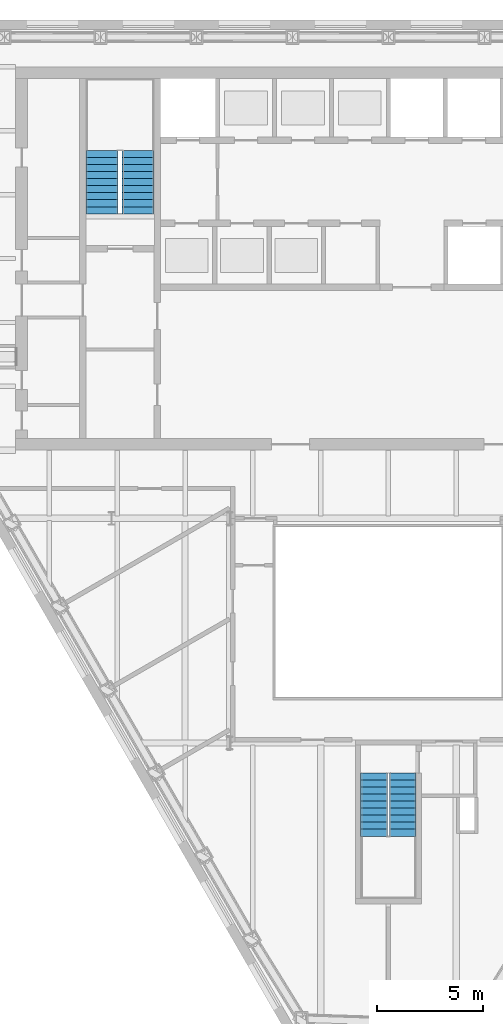
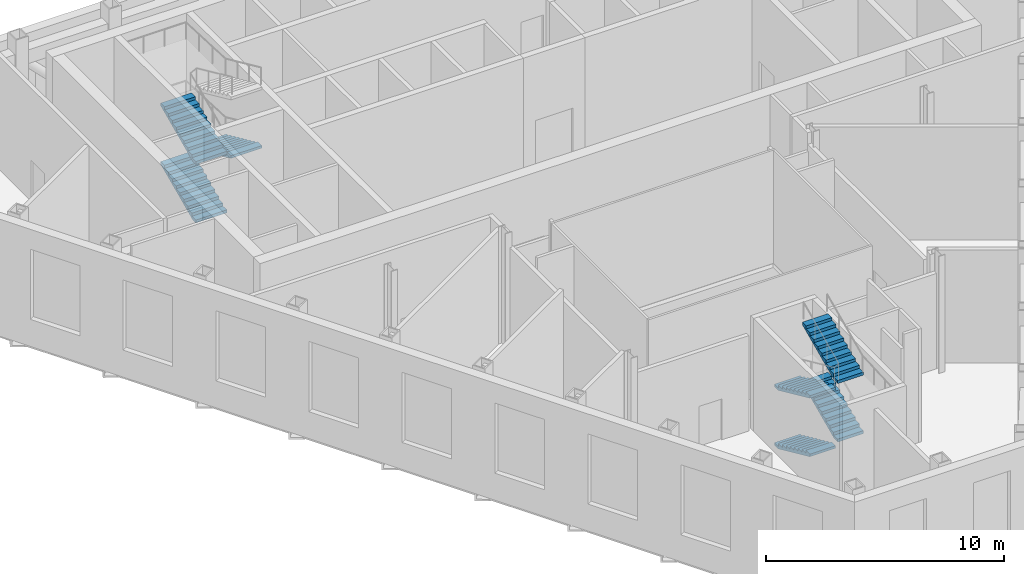
# One storey, part 12 of 15: 7 stair flights, 2 elements without a shape of their own.
"""IFC4 building model written with IfcOpenShell, lengths in metres."""

from ifc_helpers import new_model, si_unit, direction, frame, origin, place, context, subcontext, project, spatial, polygons, material, type_object, element, aggregate, save


model = new_model("IFC4")

# Units and contexts
model_context = context("Model", 3, precision=1e-05, world=origin(), true_north=direction((0.0, 1.0)))
body_context = subcontext(model_context, "Body", "Model", "MODEL_VIEW")
ifc_project = project(units=[si_unit("LENGTHUNIT", "METRE"), si_unit("AREAUNIT", "SQUARE_METRE"), si_unit("VOLUMEUNIT", "CUBIC_METRE"), si_unit("PLANEANGLEUNIT", "RADIAN"), si_unit("MASSUNIT", "GRAM", prefix="KILO")], contexts=[model_context])

# Site, building, storey
site_placement = place(None, origin())
site = spatial("IfcSite", under=ifc_project, at=site_placement, CompositionType="ELEMENT")
building_placement = place(site_placement, origin())
building = spatial("IfcBuilding", under=site, at=building_placement, Name="Njiva Tower", CompositionType="ELEMENT")
storey_placement = place(building_placement, frame((0.0, 0.0, 133.8)))
storey = spatial("IfcBuildingStorey", under=building, at=storey_placement, Name="L28", CompositionType="ELEMENT", Elevation=133.8)

# Stair, stair flights
ifc_material = material(Name="Concrete C40/50", Category="concrete")
stair_type_1 = type_object("IfcStairType", Name="ST1 Exit stair 1250", PredefinedType="HALF_TURN_STAIR", material=ifc_material)
stair_1_placement = place(storey_placement, origin())
stair_1 = element("IfcStair", 1, at=stair_1_placement, inside=storey, type_object=stair_type_1, Name="Stair C", PredefinedType="DOUBLE_RETURN_STAIR")
stair_flight_type_1 = type_object("IfcStairFlightType", Name="FL1 Stair flight 1250", PredefinedType="STRAIGHT", material=ifc_material)
stair_flight_1_placement = place(storey_placement, frame((-0.675, -15.16, 0.0), z_axis=(0.0, 0.0, 1.0), x_axis=(0.0, -1.0, 0.0)))
stair_flight_1 = element("IfcStairFlight", 2, at=stair_flight_1_placement, type_object=stair_flight_type_1, Name="ST-C flight 1", NumberOfRisers=10, NumberOfTreads=9, PredefinedType="STRAIGHT", RiserHeight=0.15, TreadLength=0.33, context=body_context, shape_type="Tessellation", body=[
    polygons([(0.0, 0.625, 0.0), (0.0, 0.3125, 0.0), (0.0, 0.0, 0.0), (0.0, -0.3125, 0.0), (0.0, -0.625, 0.0), (0.0, 0.625, 0.15), (0.0, 0.3125, 0.15), (0.0, 0.0, 0.15), (0.0, -0.3125, 0.15), (0.0, -0.625, 0.15), (0.33, 0.625, 0.15), (0.33, 0.3125, 0.15), (0.33, 0.0, 0.15), (0.33, -0.3125, 0.15), (0.33, -0.625, 0.15), (0.33, 0.625, 0.3), (0.33, 0.3125, 0.3), (0.33, 0.0, 0.3), (0.33, -0.3125, 0.3), (0.33, -0.625, 0.3), (0.66, 0.625, 0.3), (0.66, 0.3125, 0.3), (0.66, 0.0, 0.3), (0.66, -0.3125, 0.3), (0.66, -0.625, 0.3), (0.66, 0.625, 0.45), (0.66, 0.3125, 0.45), (0.66, 0.0, 0.45), (0.66, -0.3125, 0.45), (0.66, -0.625, 0.45), (0.99, 0.625, 0.45), (0.99, 0.3125, 0.45), (0.99, 0.0, 0.45), (0.99, -0.3125, 0.45), (0.99, -0.625, 0.45), (0.99, 0.625, 0.6), (0.99, 0.3125, 0.6), (0.99, 0.0, 0.6), (0.99, -0.3125, 0.6), (0.99, -0.625, 0.6), (1.32, 0.625, 0.6), (1.32, 0.3125, 0.6), (1.32, 0.0, 0.6), (1.32, -0.3125, 0.6), (1.32, -0.625, 0.6), (1.32, 0.625, 0.75), (1.32, 0.3125, 0.75), (1.32, 0.0, 0.75), (1.32, -0.3125, 0.75), (1.32, -0.625, 0.75), (1.65, 0.625, 0.75), (1.65, 0.3125, 0.75), (1.65, 0.0, 0.75), (1.65, -0.3125, 0.75), (1.65, -0.625, 0.75), (1.65, 0.625, 0.9), (1.65, 0.3125, 0.9), (1.65, 0.0, 0.9), (1.65, -0.3125, 0.9), (1.65, -0.625, 0.9), (1.98, 0.625, 0.9), (1.98, 0.3125, 0.9), (1.98, 0.0, 0.9), (1.98, -0.3125, 0.9), (1.98, -0.625, 0.9), (1.98, 0.625, 1.05), (1.98, 0.3125, 1.05), (1.98, 0.0, 1.05), (1.98, -0.3125, 1.05), (1.98, -0.625, 1.05), (2.31, 0.625, 1.05), (2.31, 0.3125, 1.05), (2.31, 0.0, 1.05), (2.31, -0.3125, 1.05), (2.31, -0.625, 1.05), (2.31, 0.625, 1.2), (2.31, 0.3125, 1.2), (2.31, 0.0, 1.2), (2.31, -0.3125, 1.2), (2.31, -0.625, 1.2), (2.64, 0.625, 1.2), (2.64, 0.3125, 1.2), (2.64, 0.0, 1.2), (2.64, -0.3125, 1.2), (2.64, -0.625, 1.2), (2.64, 0.625, 1.35), (2.64, 0.3125, 1.35), (2.64, 0.0, 1.35), (2.64, -0.3125, 1.35), (2.64, -0.625, 1.35), (2.97, 0.625, 1.35), (2.97, 0.3125, 1.35), (2.97, 0.0, 1.35), (2.97, -0.3125, 1.35), (2.97, -0.625, 1.35), (2.97, 0.625, 1.2182), (2.97, 0.3125, 1.2182), (2.97, 0.0, 1.2182), (2.97, -0.3125, 1.2182), (2.97, -0.625, 1.2182), (0.29, 0.625, 0.0), (0.29, 0.3125, 0.0), (0.29, 0.0, 0.0), (0.29, -0.3125, 0.0), (0.29, -0.625, 0.0)], [[[1, 6, 11, 16, 21, 26, 31, 36, 41, 46, 51, 56, 61, 66, 71, 76, 81, 86, 91, 96, 101]], [[105, 100, 95, 90, 85, 80, 75, 70, 65, 60, 55, 50, 45, 40, 35, 30, 25, 20, 15, 10, 5]], [[6, 1, 2, 7]], [[7, 2, 3, 8]], [[8, 3, 4, 9]], [[9, 4, 5, 10]], [[11, 6, 7, 12]], [[12, 7, 8, 13]], [[13, 8, 9, 14]], [[14, 9, 10, 15]], [[16, 11, 12, 17]], [[17, 12, 13, 18]], [[18, 13, 14, 19]], [[19, 14, 15, 20]], [[21, 16, 17, 22]], [[22, 17, 18, 23]], [[23, 18, 19, 24]], [[24, 19, 20, 25]], [[26, 21, 22, 27]], [[27, 22, 23, 28]], [[28, 23, 24, 29]], [[29, 24, 25, 30]], [[31, 26, 27, 32]], [[32, 27, 28, 33]], [[33, 28, 29, 34]], [[34, 29, 30, 35]], [[36, 31, 32, 37]], [[37, 32, 33, 38]], [[38, 33, 34, 39]], [[39, 34, 35, 40]], [[41, 36, 37, 42]], [[42, 37, 38, 43]], [[43, 38, 39, 44]], [[44, 39, 40, 45]], [[46, 41, 42, 47]], [[47, 42, 43, 48]], [[48, 43, 44, 49]], [[49, 44, 45, 50]], [[51, 46, 47, 52]], [[52, 47, 48, 53]], [[53, 48, 49, 54]], [[54, 49, 50, 55]], [[56, 51, 52, 57]], [[57, 52, 53, 58]], [[58, 53, 54, 59]], [[59, 54, 55, 60]], [[61, 56, 57, 62]], [[62, 57, 58, 63]], [[63, 58, 59, 64]], [[64, 59, 60, 65]], [[66, 61, 62, 67]], [[67, 62, 63, 68]], [[68, 63, 64, 69]], [[69, 64, 65, 70]], [[71, 66, 67, 72]], [[72, 67, 68, 73]], [[73, 68, 69, 74]], [[74, 69, 70, 75]], [[76, 71, 72, 77]], [[77, 72, 73, 78]], [[78, 73, 74, 79]], [[79, 74, 75, 80]], [[81, 76, 77, 82]], [[82, 77, 78, 83]], [[83, 78, 79, 84]], [[84, 79, 80, 85]], [[86, 81, 82, 87]], [[87, 82, 83, 88]], [[88, 83, 84, 89]], [[89, 84, 85, 90]], [[91, 86, 87, 92]], [[92, 87, 88, 93]], [[93, 88, 89, 94]], [[94, 89, 90, 95]], [[96, 91, 92, 97]], [[97, 92, 93, 98]], [[98, 93, 94, 99]], [[99, 94, 95, 100]], [[101, 96, 97, 102]], [[102, 97, 98, 103]], [[103, 98, 99, 104]], [[104, 99, 100, 105]], [[1, 101, 102, 2]], [[2, 102, 103, 3]], [[3, 103, 104, 4]], [[4, 104, 105, 5]]], closed=True),
])
stair_flight_2_placement = place(storey_placement, frame((0.675, -18.13, 1.5), z_axis=(0.0, 0.0, 1.0), x_axis=(0.0, 1.0, 0.0)))
stair_flight_2 = element("IfcStairFlight", 3, at=stair_flight_2_placement, type_object=stair_flight_type_1, Name="ST-C flight 2", NumberOfRisers=10, NumberOfTreads=9, PredefinedType="STRAIGHT", RiserHeight=0.15, TreadLength=0.33, context=body_context, shape_type="Tessellation", body=[
    polygons([(0.0, 0.625, 0.0), (0.0, 0.3125, 0.0), (0.0, 0.0, 0.0), (0.0, -0.3125, 0.0), (0.0, -0.625, 0.0), (0.0, 0.625, 0.15), (0.0, 0.3125, 0.15), (0.0, 0.0, 0.15), (0.0, -0.3125, 0.15), (0.0, -0.625, 0.15), (0.33, 0.625, 0.15), (0.33, 0.3125, 0.15), (0.33, 0.0, 0.15), (0.33, -0.3125, 0.15), (0.33, -0.625, 0.15), (0.33, 0.625, 0.3), (0.33, 0.3125, 0.3), (0.33, 0.0, 0.3), (0.33, -0.3125, 0.3), (0.33, -0.625, 0.3), (0.66, 0.625, 0.3), (0.66, 0.3125, 0.3), (0.66, 0.0, 0.3), (0.66, -0.3125, 0.3), (0.66, -0.625, 0.3), (0.66, 0.625, 0.45), (0.66, 0.3125, 0.45), (0.66, 0.0, 0.45), (0.66, -0.3125, 0.45), (0.66, -0.625, 0.45), (0.99, 0.625, 0.45), (0.99, 0.3125, 0.45), (0.99, 0.0, 0.45), (0.99, -0.3125, 0.45), (0.99, -0.625, 0.45), (0.99, 0.625, 0.6), (0.99, 0.3125, 0.6), (0.99, 0.0, 0.6), (0.99, -0.3125, 0.6), (0.99, -0.625, 0.6), (1.32, 0.625, 0.6), (1.32, 0.3125, 0.6), (1.32, 0.0, 0.6), (1.32, -0.3125, 0.6), (1.32, -0.625, 0.6), (1.32, 0.625, 0.75), (1.32, 0.3125, 0.75), (1.32, 0.0, 0.75), (1.32, -0.3125, 0.75), (1.32, -0.625, 0.75), (1.65, 0.625, 0.75), (1.65, 0.3125, 0.75), (1.65, 0.0, 0.75), (1.65, -0.3125, 0.75), (1.65, -0.625, 0.75), (1.65, 0.625, 0.9), (1.65, 0.3125, 0.9), (1.65, 0.0, 0.9), (1.65, -0.3125, 0.9), (1.65, -0.625, 0.9), (1.98, 0.625, 0.9), (1.98, 0.3125, 0.9), (1.98, 0.0, 0.9), (1.98, -0.3125, 0.9), (1.98, -0.625, 0.9), (1.98, 0.625, 1.05), (1.98, 0.3125, 1.05), (1.98, 0.0, 1.05), (1.98, -0.3125, 1.05), (1.98, -0.625, 1.05), (2.31, 0.625, 1.05), (2.31, 0.3125, 1.05), (2.31, 0.0, 1.05), (2.31, -0.3125, 1.05), (2.31, -0.625, 1.05), (2.31, 0.625, 1.2), (2.31, 0.3125, 1.2), (2.31, 0.0, 1.2), (2.31, -0.3125, 1.2), (2.31, -0.625, 1.2), (2.64, 0.625, 1.2), (2.64, 0.3125, 1.2), (2.64, 0.0, 1.2), (2.64, -0.3125, 1.2), (2.64, -0.625, 1.2), (2.64, 0.625, 1.35), (2.64, 0.3125, 1.35), (2.64, 0.0, 1.35), (2.64, -0.3125, 1.35), (2.64, -0.625, 1.35), (2.97, 0.625, 1.35), (2.97, 0.3125, 1.35), (2.97, 0.0, 1.35), (2.97, -0.3125, 1.35), (2.97, -0.625, 1.35), (2.97, 0.625, 1.2182), (2.97, 0.3125, 1.2182), (2.97, 0.0, 1.2182), (2.97, -0.3125, 1.2182), (2.97, -0.625, 1.2182), (0.29, 0.625, 0.0), (0.29, 0.3125, 0.0), (0.29, 0.0, 0.0), (0.29, -0.3125, 0.0), (0.29, -0.625, 0.0)], [[[1, 6, 11, 16, 21, 26, 31, 36, 41, 46, 51, 56, 61, 66, 71, 76, 81, 86, 91, 96, 101]], [[105, 100, 95, 90, 85, 80, 75, 70, 65, 60, 55, 50, 45, 40, 35, 30, 25, 20, 15, 10, 5]], [[6, 1, 2, 7]], [[7, 2, 3, 8]], [[8, 3, 4, 9]], [[9, 4, 5, 10]], [[11, 6, 7, 12]], [[12, 7, 8, 13]], [[13, 8, 9, 14]], [[14, 9, 10, 15]], [[16, 11, 12, 17]], [[17, 12, 13, 18]], [[18, 13, 14, 19]], [[19, 14, 15, 20]], [[21, 16, 17, 22]], [[22, 17, 18, 23]], [[23, 18, 19, 24]], [[24, 19, 20, 25]], [[26, 21, 22, 27]], [[27, 22, 23, 28]], [[28, 23, 24, 29]], [[29, 24, 25, 30]], [[31, 26, 27, 32]], [[32, 27, 28, 33]], [[33, 28, 29, 34]], [[34, 29, 30, 35]], [[36, 31, 32, 37]], [[37, 32, 33, 38]], [[38, 33, 34, 39]], [[39, 34, 35, 40]], [[41, 36, 37, 42]], [[42, 37, 38, 43]], [[43, 38, 39, 44]], [[44, 39, 40, 45]], [[46, 41, 42, 47]], [[47, 42, 43, 48]], [[48, 43, 44, 49]], [[49, 44, 45, 50]], [[51, 46, 47, 52]], [[52, 47, 48, 53]], [[53, 48, 49, 54]], [[54, 49, 50, 55]], [[56, 51, 52, 57]], [[57, 52, 53, 58]], [[58, 53, 54, 59]], [[59, 54, 55, 60]], [[61, 56, 57, 62]], [[62, 57, 58, 63]], [[63, 58, 59, 64]], [[64, 59, 60, 65]], [[66, 61, 62, 67]], [[67, 62, 63, 68]], [[68, 63, 64, 69]], [[69, 64, 65, 70]], [[71, 66, 67, 72]], [[72, 67, 68, 73]], [[73, 68, 69, 74]], [[74, 69, 70, 75]], [[76, 71, 72, 77]], [[77, 72, 73, 78]], [[78, 73, 74, 79]], [[79, 74, 75, 80]], [[81, 76, 77, 82]], [[82, 77, 78, 83]], [[83, 78, 79, 84]], [[84, 79, 80, 85]], [[86, 81, 82, 87]], [[87, 82, 83, 88]], [[88, 83, 84, 89]], [[89, 84, 85, 90]], [[91, 86, 87, 92]], [[92, 87, 88, 93]], [[93, 88, 89, 94]], [[94, 89, 90, 95]], [[96, 91, 92, 97]], [[97, 92, 93, 98]], [[98, 93, 94, 99]], [[99, 94, 95, 100]], [[101, 96, 97, 102]], [[102, 97, 98, 103]], [[103, 98, 99, 104]], [[104, 99, 100, 105]], [[1, 101, 102, 2]], [[2, 102, 103, 3]], [[3, 103, 104, 4]], [[4, 104, 105, 5]]], closed=True),
])
stair_flight_3_placement = place(storey_placement, frame((-0.675, -15.16, 3.0), z_axis=(0.0, 0.0, 1.0), x_axis=(0.0, -1.0, 0.0)))
stair_flight_3 = element("IfcStairFlight", 4, at=stair_flight_3_placement, type_object=stair_flight_type_1, Name="ST-C flight 3", NumberOfRisers=10, NumberOfTreads=9, PredefinedType="STRAIGHT", RiserHeight=0.15, TreadLength=0.33, context=body_context, shape_type="Tessellation", body=[
    polygons([(0.0, 0.625, 0.0), (0.0, 0.3125, 0.0), (0.0, 0.0, 0.0), (0.0, -0.3125, 0.0), (0.0, -0.625, 0.0), (0.0, 0.625, 0.15), (0.0, 0.3125, 0.15), (0.0, 0.0, 0.15), (0.0, -0.3125, 0.15), (0.0, -0.625, 0.15), (0.33, 0.625, 0.15), (0.33, 0.3125, 0.15), (0.33, 0.0, 0.15), (0.33, -0.3125, 0.15), (0.33, -0.625, 0.15), (0.33, 0.625, 0.3), (0.33, 0.3125, 0.3), (0.33, 0.0, 0.3), (0.33, -0.3125, 0.3), (0.33, -0.625, 0.3), (0.66, 0.625, 0.3), (0.66, 0.3125, 0.3), (0.66, 0.0, 0.3), (0.66, -0.3125, 0.3), (0.66, -0.625, 0.3), (0.66, 0.625, 0.45), (0.66, 0.3125, 0.45), (0.66, 0.0, 0.45), (0.66, -0.3125, 0.45), (0.66, -0.625, 0.45), (0.99, 0.625, 0.45), (0.99, 0.3125, 0.45), (0.99, 0.0, 0.45), (0.99, -0.3125, 0.45), (0.99, -0.625, 0.45), (0.99, 0.625, 0.6), (0.99, 0.3125, 0.6), (0.99, 0.0, 0.6), (0.99, -0.3125, 0.6), (0.99, -0.625, 0.6), (1.32, 0.625, 0.6), (1.32, 0.3125, 0.6), (1.32, 0.0, 0.6), (1.32, -0.3125, 0.6), (1.32, -0.625, 0.6), (1.32, 0.625, 0.75), (1.32, 0.3125, 0.75), (1.32, 0.0, 0.75), (1.32, -0.3125, 0.75), (1.32, -0.625, 0.75), (1.65, 0.625, 0.75), (1.65, 0.3125, 0.75), (1.65, 0.0, 0.75), (1.65, -0.3125, 0.75), (1.65, -0.625, 0.75), (1.65, 0.625, 0.9), (1.65, 0.3125, 0.9), (1.65, 0.0, 0.9), (1.65, -0.3125, 0.9), (1.65, -0.625, 0.9), (1.98, 0.625, 0.9), (1.98, 0.3125, 0.9), (1.98, 0.0, 0.9), (1.98, -0.3125, 0.9), (1.98, -0.625, 0.9), (1.98, 0.625, 1.05), (1.98, 0.3125, 1.05), (1.98, 0.0, 1.05), (1.98, -0.3125, 1.05), (1.98, -0.625, 1.05), (2.31, 0.625, 1.05), (2.31, 0.3125, 1.05), (2.31, 0.0, 1.05), (2.31, -0.3125, 1.05), (2.31, -0.625, 1.05), (2.31, 0.625, 1.2), (2.31, 0.3125, 1.2), (2.31, 0.0, 1.2), (2.31, -0.3125, 1.2), (2.31, -0.625, 1.2), (2.64, 0.625, 1.2), (2.64, 0.3125, 1.2), (2.64, 0.0, 1.2), (2.64, -0.3125, 1.2), (2.64, -0.625, 1.2), (2.64, 0.625, 1.35), (2.64, 0.3125, 1.35), (2.64, 0.0, 1.35), (2.64, -0.3125, 1.35), (2.64, -0.625, 1.35), (2.97, 0.625, 1.35), (2.97, 0.3125, 1.35), (2.97, 0.0, 1.35), (2.97, -0.3125, 1.35), (2.97, -0.625, 1.35), (2.97, 0.625, 1.2182), (2.97, 0.3125, 1.2182), (2.97, 0.0, 1.2182), (2.97, -0.3125, 1.2182), (2.97, -0.625, 1.2182), (0.29, 0.625, 0.0), (0.29, 0.3125, 0.0), (0.29, 0.0, 0.0), (0.29, -0.3125, 0.0), (0.29, -0.625, 0.0)], [[[1, 6, 11, 16, 21, 26, 31, 36, 41, 46, 51, 56, 61, 66, 71, 76, 81, 86, 91, 96, 101]], [[105, 100, 95, 90, 85, 80, 75, 70, 65, 60, 55, 50, 45, 40, 35, 30, 25, 20, 15, 10, 5]], [[6, 1, 2, 7]], [[7, 2, 3, 8]], [[8, 3, 4, 9]], [[9, 4, 5, 10]], [[11, 6, 7, 12]], [[12, 7, 8, 13]], [[13, 8, 9, 14]], [[14, 9, 10, 15]], [[16, 11, 12, 17]], [[17, 12, 13, 18]], [[18, 13, 14, 19]], [[19, 14, 15, 20]], [[21, 16, 17, 22]], [[22, 17, 18, 23]], [[23, 18, 19, 24]], [[24, 19, 20, 25]], [[26, 21, 22, 27]], [[27, 22, 23, 28]], [[28, 23, 24, 29]], [[29, 24, 25, 30]], [[31, 26, 27, 32]], [[32, 27, 28, 33]], [[33, 28, 29, 34]], [[34, 29, 30, 35]], [[36, 31, 32, 37]], [[37, 32, 33, 38]], [[38, 33, 34, 39]], [[39, 34, 35, 40]], [[41, 36, 37, 42]], [[42, 37, 38, 43]], [[43, 38, 39, 44]], [[44, 39, 40, 45]], [[46, 41, 42, 47]], [[47, 42, 43, 48]], [[48, 43, 44, 49]], [[49, 44, 45, 50]], [[51, 46, 47, 52]], [[52, 47, 48, 53]], [[53, 48, 49, 54]], [[54, 49, 50, 55]], [[56, 51, 52, 57]], [[57, 52, 53, 58]], [[58, 53, 54, 59]], [[59, 54, 55, 60]], [[61, 56, 57, 62]], [[62, 57, 58, 63]], [[63, 58, 59, 64]], [[64, 59, 60, 65]], [[66, 61, 62, 67]], [[67, 62, 63, 68]], [[68, 63, 64, 69]], [[69, 64, 65, 70]], [[71, 66, 67, 72]], [[72, 67, 68, 73]], [[73, 68, 69, 74]], [[74, 69, 70, 75]], [[76, 71, 72, 77]], [[77, 72, 73, 78]], [[78, 73, 74, 79]], [[79, 74, 75, 80]], [[81, 76, 77, 82]], [[82, 77, 78, 83]], [[83, 78, 79, 84]], [[84, 79, 80, 85]], [[86, 81, 82, 87]], [[87, 82, 83, 88]], [[88, 83, 84, 89]], [[89, 84, 85, 90]], [[91, 86, 87, 92]], [[92, 87, 88, 93]], [[93, 88, 89, 94]], [[94, 89, 90, 95]], [[96, 91, 92, 97]], [[97, 92, 93, 98]], [[98, 93, 94, 99]], [[99, 94, 95, 100]], [[101, 96, 97, 102]], [[102, 97, 98, 103]], [[103, 98, 99, 104]], [[104, 99, 100, 105]], [[1, 101, 102, 2]], [[2, 102, 103, 3]], [[3, 103, 104, 4]], [[4, 104, 105, 5]]], closed=True),
])
stair_flight_4_placement = place(storey_placement, frame((0.675, -18.13, 4.5), z_axis=(0.0, 0.0, 1.0), x_axis=(0.0, 1.0, 0.0)))
stair_flight_4 = element("IfcStairFlight", 5, at=stair_flight_4_placement, type_object=stair_flight_type_1, Name="ST-C flight 4", NumberOfRisers=10, NumberOfTreads=9, PredefinedType="STRAIGHT", RiserHeight=0.15, TreadLength=0.33, context=body_context, shape_type="Tessellation", body=[
    polygons([(0.0, 0.625, 0.0), (0.0, 0.3125, 0.0), (0.0, 0.0, 0.0), (0.0, -0.3125, 0.0), (0.0, -0.625, 0.0), (0.0, 0.625, 0.15), (0.0, 0.3125, 0.15), (0.0, 0.0, 0.15), (0.0, -0.3125, 0.15), (0.0, -0.625, 0.15), (0.33, 0.625, 0.15), (0.33, 0.3125, 0.15), (0.33, 0.0, 0.15), (0.33, -0.3125, 0.15), (0.33, -0.625, 0.15), (0.33, 0.625, 0.3), (0.33, 0.3125, 0.3), (0.33, 0.0, 0.3), (0.33, -0.3125, 0.3), (0.33, -0.625, 0.3), (0.66, 0.625, 0.3), (0.66, 0.3125, 0.3), (0.66, 0.0, 0.3), (0.66, -0.3125, 0.3), (0.66, -0.625, 0.3), (0.66, 0.625, 0.45), (0.66, 0.3125, 0.45), (0.66, 0.0, 0.45), (0.66, -0.3125, 0.45), (0.66, -0.625, 0.45), (0.99, 0.625, 0.45), (0.99, 0.3125, 0.45), (0.99, 0.0, 0.45), (0.99, -0.3125, 0.45), (0.99, -0.625, 0.45), (0.99, 0.625, 0.6), (0.99, 0.3125, 0.6), (0.99, 0.0, 0.6), (0.99, -0.3125, 0.6), (0.99, -0.625, 0.6), (1.32, 0.625, 0.6), (1.32, 0.3125, 0.6), (1.32, 0.0, 0.6), (1.32, -0.3125, 0.6), (1.32, -0.625, 0.6), (1.32, 0.625, 0.75), (1.32, 0.3125, 0.75), (1.32, 0.0, 0.75), (1.32, -0.3125, 0.75), (1.32, -0.625, 0.75), (1.65, 0.625, 0.75), (1.65, 0.3125, 0.75), (1.65, 0.0, 0.75), (1.65, -0.3125, 0.75), (1.65, -0.625, 0.75), (1.65, 0.625, 0.9), (1.65, 0.3125, 0.9), (1.65, 0.0, 0.9), (1.65, -0.3125, 0.9), (1.65, -0.625, 0.9), (1.98, 0.625, 0.9), (1.98, 0.3125, 0.9), (1.98, 0.0, 0.9), (1.98, -0.3125, 0.9), (1.98, -0.625, 0.9), (1.98, 0.625, 1.05), (1.98, 0.3125, 1.05), (1.98, 0.0, 1.05), (1.98, -0.3125, 1.05), (1.98, -0.625, 1.05), (2.31, 0.625, 1.05), (2.31, 0.3125, 1.05), (2.31, 0.0, 1.05), (2.31, -0.3125, 1.05), (2.31, -0.625, 1.05), (2.31, 0.625, 1.2), (2.31, 0.3125, 1.2), (2.31, 0.0, 1.2), (2.31, -0.3125, 1.2), (2.31, -0.625, 1.2), (2.64, 0.625, 1.2), (2.64, 0.3125, 1.2), (2.64, 0.0, 1.2), (2.64, -0.3125, 1.2), (2.64, -0.625, 1.2), (2.64, 0.625, 1.35), (2.64, 0.3125, 1.35), (2.64, 0.0, 1.35), (2.64, -0.3125, 1.35), (2.64, -0.625, 1.35), (2.97, 0.625, 1.35), (2.97, 0.3125, 1.35), (2.97, 0.0, 1.35), (2.97, -0.3125, 1.35), (2.97, -0.625, 1.35), (2.97, 0.625, 1.2182), (2.97, 0.3125, 1.2182), (2.97, 0.0, 1.2182), (2.97, -0.3125, 1.2182), (2.97, -0.625, 1.2182), (0.29, 0.625, 0.0), (0.29, 0.3125, 0.0), (0.29, 0.0, 0.0), (0.29, -0.3125, 0.0), (0.29, -0.625, 0.0)], [[[1, 6, 11, 16, 21, 26, 31, 36, 41, 46, 51, 56, 61, 66, 71, 76, 81, 86, 91, 96, 101]], [[105, 100, 95, 90, 85, 80, 75, 70, 65, 60, 55, 50, 45, 40, 35, 30, 25, 20, 15, 10, 5]], [[6, 1, 2, 7]], [[7, 2, 3, 8]], [[8, 3, 4, 9]], [[9, 4, 5, 10]], [[11, 6, 7, 12]], [[12, 7, 8, 13]], [[13, 8, 9, 14]], [[14, 9, 10, 15]], [[16, 11, 12, 17]], [[17, 12, 13, 18]], [[18, 13, 14, 19]], [[19, 14, 15, 20]], [[21, 16, 17, 22]], [[22, 17, 18, 23]], [[23, 18, 19, 24]], [[24, 19, 20, 25]], [[26, 21, 22, 27]], [[27, 22, 23, 28]], [[28, 23, 24, 29]], [[29, 24, 25, 30]], [[31, 26, 27, 32]], [[32, 27, 28, 33]], [[33, 28, 29, 34]], [[34, 29, 30, 35]], [[36, 31, 32, 37]], [[37, 32, 33, 38]], [[38, 33, 34, 39]], [[39, 34, 35, 40]], [[41, 36, 37, 42]], [[42, 37, 38, 43]], [[43, 38, 39, 44]], [[44, 39, 40, 45]], [[46, 41, 42, 47]], [[47, 42, 43, 48]], [[48, 43, 44, 49]], [[49, 44, 45, 50]], [[51, 46, 47, 52]], [[52, 47, 48, 53]], [[53, 48, 49, 54]], [[54, 49, 50, 55]], [[56, 51, 52, 57]], [[57, 52, 53, 58]], [[58, 53, 54, 59]], [[59, 54, 55, 60]], [[61, 56, 57, 62]], [[62, 57, 58, 63]], [[63, 58, 59, 64]], [[64, 59, 60, 65]], [[66, 61, 62, 67]], [[67, 62, 63, 68]], [[68, 63, 64, 69]], [[69, 64, 65, 70]], [[71, 66, 67, 72]], [[72, 67, 68, 73]], [[73, 68, 69, 74]], [[74, 69, 70, 75]], [[76, 71, 72, 77]], [[77, 72, 73, 78]], [[78, 73, 74, 79]], [[79, 74, 75, 80]], [[81, 76, 77, 82]], [[82, 77, 78, 83]], [[83, 78, 79, 84]], [[84, 79, 80, 85]], [[86, 81, 82, 87]], [[87, 82, 83, 88]], [[88, 83, 84, 89]], [[89, 84, 85, 90]], [[91, 86, 87, 92]], [[92, 87, 88, 93]], [[93, 88, 89, 94]], [[94, 89, 90, 95]], [[96, 91, 92, 97]], [[97, 92, 93, 98]], [[98, 93, 94, 99]], [[99, 94, 95, 100]], [[101, 96, 97, 102]], [[102, 97, 98, 103]], [[103, 98, 99, 104]], [[104, 99, 100, 105]], [[1, 101, 102, 2]], [[2, 102, 103, 3]], [[3, 103, 104, 4]], [[4, 104, 105, 5]]], closed=True),
])
aggregate(stair_1, [stair_flight_1, stair_flight_2, stair_flight_3, stair_flight_4])

stair_type_2 = type_object("IfcStairType", Name="ST4 Exit stair 1500", PredefinedType="HALF_TURN_STAIR", material=ifc_material)
stair_2_placement = place(storey_placement, origin())
stair_2 = element("IfcStair", 6, at=stair_2_placement, inside=storey, type_object=stair_type_2, Name="Stair A", PredefinedType="DOUBLE_RETURN_STAIR")
stair_flight_type_2 = type_object("IfcStairFlightType", Name="FL4 Stair flight 1500", PredefinedType="STRAIGHT", material=ifc_material)
stair_flight_5_placement = place(storey_placement, frame((-13.45, 11.1, 0.0), z_axis=(0.0, 0.0, 1.0), x_axis=(0.0, 1.0, 0.0)))
stair_flight_5 = element("IfcStairFlight", 7, at=stair_flight_5_placement, type_object=stair_flight_type_2, Name="ST-A flight 1", NumberOfRisers=10, NumberOfTreads=9, PredefinedType="STRAIGHT", RiserHeight=0.15, TreadLength=0.33, context=body_context, shape_type="Tessellation", body=[
    polygons([(0.0, 0.75, 0.0), (0.0, 0.375, 0.0), (0.0, 0.0, 0.0), (0.0, -0.375, 0.0), (0.0, -0.75, 0.0), (0.0, 0.75, 0.15), (0.0, 0.375, 0.15), (0.0, 0.0, 0.15), (0.0, -0.375, 0.15), (0.0, -0.75, 0.15), (0.33, 0.75, 0.15), (0.33, 0.375, 0.15), (0.33, 0.0, 0.15), (0.33, -0.375, 0.15), (0.33, -0.75, 0.15), (0.33, 0.75, 0.3), (0.33, 0.375, 0.3), (0.33, 0.0, 0.3), (0.33, -0.375, 0.3), (0.33, -0.75, 0.3), (0.66, 0.75, 0.3), (0.66, 0.375, 0.3), (0.66, 0.0, 0.3), (0.66, -0.375, 0.3), (0.66, -0.75, 0.3), (0.66, 0.75, 0.45), (0.66, 0.375, 0.45), (0.66, 0.0, 0.45), (0.66, -0.375, 0.45), (0.66, -0.75, 0.45), (0.99, 0.75, 0.45), (0.99, 0.375, 0.45), (0.99, 0.0, 0.45), (0.99, -0.375, 0.45), (0.99, -0.75, 0.45), (0.99, 0.75, 0.6), (0.99, 0.375, 0.6), (0.99, 0.0, 0.6), (0.99, -0.375, 0.6), (0.99, -0.75, 0.6), (1.32, 0.75, 0.6), (1.32, 0.375, 0.6), (1.32, 0.0, 0.6), (1.32, -0.375, 0.6), (1.32, -0.75, 0.6), (1.32, 0.75, 0.75), (1.32, 0.375, 0.75), (1.32, 0.0, 0.75), (1.32, -0.375, 0.75), (1.32, -0.75, 0.75), (1.65, 0.75, 0.75), (1.65, 0.375, 0.75), (1.65, 0.0, 0.75), (1.65, -0.375, 0.75), (1.65, -0.75, 0.75), (1.65, 0.75, 0.9), (1.65, 0.375, 0.9), (1.65, 0.0, 0.9), (1.65, -0.375, 0.9), (1.65, -0.75, 0.9), (1.98, 0.75, 0.9), (1.98, 0.375, 0.9), (1.98, 0.0, 0.9), (1.98, -0.375, 0.9), (1.98, -0.75, 0.9), (1.98, 0.75, 1.05), (1.98, 0.375, 1.05), (1.98, 0.0, 1.05), (1.98, -0.375, 1.05), (1.98, -0.75, 1.05), (2.31, 0.75, 1.05), (2.31, 0.375, 1.05), (2.31, 0.0, 1.05), (2.31, -0.375, 1.05), (2.31, -0.75, 1.05), (2.31, 0.75, 1.2), (2.31, 0.375, 1.2), (2.31, 0.0, 1.2), (2.31, -0.375, 1.2), (2.31, -0.75, 1.2), (2.64, 0.75, 1.2), (2.64, 0.375, 1.2), (2.64, 0.0, 1.2), (2.64, -0.375, 1.2), (2.64, -0.75, 1.2), (2.64, 0.75, 1.35), (2.64, 0.375, 1.35), (2.64, 0.0, 1.35), (2.64, -0.375, 1.35), (2.64, -0.75, 1.35), (2.97, 0.75, 1.35), (2.97, 0.375, 1.35), (2.97, 0.0, 1.35), (2.97, -0.375, 1.35), (2.97, -0.75, 1.35), (2.97, 0.75, 1.2182), (2.97, 0.375, 1.2182), (2.97, 0.0, 1.2182), (2.97, -0.375, 1.2182), (2.97, -0.75, 1.2182), (0.29, 0.75, 0.0), (0.29, 0.375, 0.0), (0.29, 0.0, 0.0), (0.29, -0.375, 0.0), (0.29, -0.75, 0.0)], [[[1, 6, 11, 16, 21, 26, 31, 36, 41, 46, 51, 56, 61, 66, 71, 76, 81, 86, 91, 96, 101]], [[105, 100, 95, 90, 85, 80, 75, 70, 65, 60, 55, 50, 45, 40, 35, 30, 25, 20, 15, 10, 5]], [[6, 1, 2, 7]], [[7, 2, 3, 8]], [[8, 3, 4, 9]], [[9, 4, 5, 10]], [[11, 6, 7, 12]], [[12, 7, 8, 13]], [[13, 8, 9, 14]], [[14, 9, 10, 15]], [[16, 11, 12, 17]], [[17, 12, 13, 18]], [[18, 13, 14, 19]], [[19, 14, 15, 20]], [[21, 16, 17, 22]], [[22, 17, 18, 23]], [[23, 18, 19, 24]], [[24, 19, 20, 25]], [[26, 21, 22, 27]], [[27, 22, 23, 28]], [[28, 23, 24, 29]], [[29, 24, 25, 30]], [[31, 26, 27, 32]], [[32, 27, 28, 33]], [[33, 28, 29, 34]], [[34, 29, 30, 35]], [[36, 31, 32, 37]], [[37, 32, 33, 38]], [[38, 33, 34, 39]], [[39, 34, 35, 40]], [[41, 36, 37, 42]], [[42, 37, 38, 43]], [[43, 38, 39, 44]], [[44, 39, 40, 45]], [[46, 41, 42, 47]], [[47, 42, 43, 48]], [[48, 43, 44, 49]], [[49, 44, 45, 50]], [[51, 46, 47, 52]], [[52, 47, 48, 53]], [[53, 48, 49, 54]], [[54, 49, 50, 55]], [[56, 51, 52, 57]], [[57, 52, 53, 58]], [[58, 53, 54, 59]], [[59, 54, 55, 60]], [[61, 56, 57, 62]], [[62, 57, 58, 63]], [[63, 58, 59, 64]], [[64, 59, 60, 65]], [[66, 61, 62, 67]], [[67, 62, 63, 68]], [[68, 63, 64, 69]], [[69, 64, 65, 70]], [[71, 66, 67, 72]], [[72, 67, 68, 73]], [[73, 68, 69, 74]], [[74, 69, 70, 75]], [[76, 71, 72, 77]], [[77, 72, 73, 78]], [[78, 73, 74, 79]], [[79, 74, 75, 80]], [[81, 76, 77, 82]], [[82, 77, 78, 83]], [[83, 78, 79, 84]], [[84, 79, 80, 85]], [[86, 81, 82, 87]], [[87, 82, 83, 88]], [[88, 83, 84, 89]], [[89, 84, 85, 90]], [[91, 86, 87, 92]], [[92, 87, 88, 93]], [[93, 88, 89, 94]], [[94, 89, 90, 95]], [[96, 91, 92, 97]], [[97, 92, 93, 98]], [[98, 93, 94, 99]], [[99, 94, 95, 100]], [[101, 96, 97, 102]], [[102, 97, 98, 103]], [[103, 98, 99, 104]], [[104, 99, 100, 105]], [[1, 101, 102, 2]], [[2, 102, 103, 3]], [[3, 103, 104, 4]], [[4, 104, 105, 5]]], closed=True),
])
stair_flight_6_placement = place(storey_placement, frame((-11.75, 14.07, 1.5), z_axis=(0.0, 0.0, 1.0), x_axis=(0.0, -1.0, 0.0)))
stair_flight_6 = element("IfcStairFlight", 8, at=stair_flight_6_placement, type_object=stair_flight_type_2, Name="ST-A flight 2", NumberOfRisers=10, NumberOfTreads=9, PredefinedType="STRAIGHT", RiserHeight=0.15, TreadLength=0.33, context=body_context, shape_type="Tessellation", body=[
    polygons([(0.0, 0.75, 0.0), (0.0, 0.375, 0.0), (0.0, 0.0, 0.0), (0.0, -0.375, 0.0), (0.0, -0.75, 0.0), (0.0, 0.75, 0.15), (0.0, 0.375, 0.15), (0.0, 0.0, 0.15), (0.0, -0.375, 0.15), (0.0, -0.75, 0.15), (0.33, 0.75, 0.15), (0.33, 0.375, 0.15), (0.33, 0.0, 0.15), (0.33, -0.375, 0.15), (0.33, -0.75, 0.15), (0.33, 0.75, 0.3), (0.33, 0.375, 0.3), (0.33, 0.0, 0.3), (0.33, -0.375, 0.3), (0.33, -0.75, 0.3), (0.66, 0.75, 0.3), (0.66, 0.375, 0.3), (0.66, 0.0, 0.3), (0.66, -0.375, 0.3), (0.66, -0.75, 0.3), (0.66, 0.75, 0.45), (0.66, 0.375, 0.45), (0.66, 0.0, 0.45), (0.66, -0.375, 0.45), (0.66, -0.75, 0.45), (0.99, 0.75, 0.45), (0.99, 0.375, 0.45), (0.99, 0.0, 0.45), (0.99, -0.375, 0.45), (0.99, -0.75, 0.45), (0.99, 0.75, 0.6), (0.99, 0.375, 0.6), (0.99, 0.0, 0.6), (0.99, -0.375, 0.6), (0.99, -0.75, 0.6), (1.32, 0.75, 0.6), (1.32, 0.375, 0.6), (1.32, 0.0, 0.6), (1.32, -0.375, 0.6), (1.32, -0.75, 0.6), (1.32, 0.75, 0.75), (1.32, 0.375, 0.75), (1.32, 0.0, 0.75), (1.32, -0.375, 0.75), (1.32, -0.75, 0.75), (1.65, 0.75, 0.75), (1.65, 0.375, 0.75), (1.65, 0.0, 0.75), (1.65, -0.375, 0.75), (1.65, -0.75, 0.75), (1.65, 0.75, 0.9), (1.65, 0.375, 0.9), (1.65, 0.0, 0.9), (1.65, -0.375, 0.9), (1.65, -0.75, 0.9), (1.98, 0.75, 0.9), (1.98, 0.375, 0.9), (1.98, 0.0, 0.9), (1.98, -0.375, 0.9), (1.98, -0.75, 0.9), (1.98, 0.75, 1.05), (1.98, 0.375, 1.05), (1.98, 0.0, 1.05), (1.98, -0.375, 1.05), (1.98, -0.75, 1.05), (2.31, 0.75, 1.05), (2.31, 0.375, 1.05), (2.31, 0.0, 1.05), (2.31, -0.375, 1.05), (2.31, -0.75, 1.05), (2.31, 0.75, 1.2), (2.31, 0.375, 1.2), (2.31, 0.0, 1.2), (2.31, -0.375, 1.2), (2.31, -0.75, 1.2), (2.64, 0.75, 1.2), (2.64, 0.375, 1.2), (2.64, 0.0, 1.2), (2.64, -0.375, 1.2), (2.64, -0.75, 1.2), (2.64, 0.75, 1.35), (2.64, 0.375, 1.35), (2.64, 0.0, 1.35), (2.64, -0.375, 1.35), (2.64, -0.75, 1.35), (2.97, 0.75, 1.35), (2.97, 0.375, 1.35), (2.97, 0.0, 1.35), (2.97, -0.375, 1.35), (2.97, -0.75, 1.35), (2.97, 0.75, 1.2182), (2.97, 0.375, 1.2182), (2.97, 0.0, 1.2182), (2.97, -0.375, 1.2182), (2.97, -0.75, 1.2182), (0.29, 0.75, 0.0), (0.29, 0.375, 0.0), (0.29, 0.0, 0.0), (0.29, -0.375, 0.0), (0.29, -0.75, 0.0)], [[[1, 6, 11, 16, 21, 26, 31, 36, 41, 46, 51, 56, 61, 66, 71, 76, 81, 86, 91, 96, 101]], [[105, 100, 95, 90, 85, 80, 75, 70, 65, 60, 55, 50, 45, 40, 35, 30, 25, 20, 15, 10, 5]], [[6, 1, 2, 7]], [[7, 2, 3, 8]], [[8, 3, 4, 9]], [[9, 4, 5, 10]], [[11, 6, 7, 12]], [[12, 7, 8, 13]], [[13, 8, 9, 14]], [[14, 9, 10, 15]], [[16, 11, 12, 17]], [[17, 12, 13, 18]], [[18, 13, 14, 19]], [[19, 14, 15, 20]], [[21, 16, 17, 22]], [[22, 17, 18, 23]], [[23, 18, 19, 24]], [[24, 19, 20, 25]], [[26, 21, 22, 27]], [[27, 22, 23, 28]], [[28, 23, 24, 29]], [[29, 24, 25, 30]], [[31, 26, 27, 32]], [[32, 27, 28, 33]], [[33, 28, 29, 34]], [[34, 29, 30, 35]], [[36, 31, 32, 37]], [[37, 32, 33, 38]], [[38, 33, 34, 39]], [[39, 34, 35, 40]], [[41, 36, 37, 42]], [[42, 37, 38, 43]], [[43, 38, 39, 44]], [[44, 39, 40, 45]], [[46, 41, 42, 47]], [[47, 42, 43, 48]], [[48, 43, 44, 49]], [[49, 44, 45, 50]], [[51, 46, 47, 52]], [[52, 47, 48, 53]], [[53, 48, 49, 54]], [[54, 49, 50, 55]], [[56, 51, 52, 57]], [[57, 52, 53, 58]], [[58, 53, 54, 59]], [[59, 54, 55, 60]], [[61, 56, 57, 62]], [[62, 57, 58, 63]], [[63, 58, 59, 64]], [[64, 59, 60, 65]], [[66, 61, 62, 67]], [[67, 62, 63, 68]], [[68, 63, 64, 69]], [[69, 64, 65, 70]], [[71, 66, 67, 72]], [[72, 67, 68, 73]], [[73, 68, 69, 74]], [[74, 69, 70, 75]], [[76, 71, 72, 77]], [[77, 72, 73, 78]], [[78, 73, 74, 79]], [[79, 74, 75, 80]], [[81, 76, 77, 82]], [[82, 77, 78, 83]], [[83, 78, 79, 84]], [[84, 79, 80, 85]], [[86, 81, 82, 87]], [[87, 82, 83, 88]], [[88, 83, 84, 89]], [[89, 84, 85, 90]], [[91, 86, 87, 92]], [[92, 87, 88, 93]], [[93, 88, 89, 94]], [[94, 89, 90, 95]], [[96, 91, 92, 97]], [[97, 92, 93, 98]], [[98, 93, 94, 99]], [[99, 94, 95, 100]], [[101, 96, 97, 102]], [[102, 97, 98, 103]], [[103, 98, 99, 104]], [[104, 99, 100, 105]], [[1, 101, 102, 2]], [[2, 102, 103, 3]], [[3, 103, 104, 4]], [[4, 104, 105, 5]]], closed=True),
])
stair_flight_7_placement = place(storey_placement, frame((-13.45, 11.1, 3.0), z_axis=(0.0, 0.0, 1.0), x_axis=(0.0, 1.0, 0.0)))
stair_flight_7 = element("IfcStairFlight", 9, at=stair_flight_7_placement, type_object=stair_flight_type_2, Name="ST-A flight 3", NumberOfRisers=10, NumberOfTreads=9, PredefinedType="STRAIGHT", RiserHeight=0.15, TreadLength=0.33, context=body_context, shape_type="Tessellation", body=[
    polygons([(0.0, 0.75, 0.0), (0.0, 0.375, 0.0), (0.0, 0.0, 0.0), (0.0, -0.375, 0.0), (0.0, -0.75, 0.0), (0.0, 0.75, 0.15), (0.0, 0.375, 0.15), (0.0, 0.0, 0.15), (0.0, -0.375, 0.15), (0.0, -0.75, 0.15), (0.33, 0.75, 0.15), (0.33, 0.375, 0.15), (0.33, 0.0, 0.15), (0.33, -0.375, 0.15), (0.33, -0.75, 0.15), (0.33, 0.75, 0.3), (0.33, 0.375, 0.3), (0.33, 0.0, 0.3), (0.33, -0.375, 0.3), (0.33, -0.75, 0.3), (0.66, 0.75, 0.3), (0.66, 0.375, 0.3), (0.66, 0.0, 0.3), (0.66, -0.375, 0.3), (0.66, -0.75, 0.3), (0.66, 0.75, 0.45), (0.66, 0.375, 0.45), (0.66, 0.0, 0.45), (0.66, -0.375, 0.45), (0.66, -0.75, 0.45), (0.99, 0.75, 0.45), (0.99, 0.375, 0.45), (0.99, 0.0, 0.45), (0.99, -0.375, 0.45), (0.99, -0.75, 0.45), (0.99, 0.75, 0.6), (0.99, 0.375, 0.6), (0.99, 0.0, 0.6), (0.99, -0.375, 0.6), (0.99, -0.75, 0.6), (1.32, 0.75, 0.6), (1.32, 0.375, 0.6), (1.32, 0.0, 0.6), (1.32, -0.375, 0.6), (1.32, -0.75, 0.6), (1.32, 0.75, 0.75), (1.32, 0.375, 0.75), (1.32, 0.0, 0.75), (1.32, -0.375, 0.75), (1.32, -0.75, 0.75), (1.65, 0.75, 0.75), (1.65, 0.375, 0.75), (1.65, 0.0, 0.75), (1.65, -0.375, 0.75), (1.65, -0.75, 0.75), (1.65, 0.75, 0.9), (1.65, 0.375, 0.9), (1.65, 0.0, 0.9), (1.65, -0.375, 0.9), (1.65, -0.75, 0.9), (1.98, 0.75, 0.9), (1.98, 0.375, 0.9), (1.98, 0.0, 0.9), (1.98, -0.375, 0.9), (1.98, -0.75, 0.9), (1.98, 0.75, 1.05), (1.98, 0.375, 1.05), (1.98, 0.0, 1.05), (1.98, -0.375, 1.05), (1.98, -0.75, 1.05), (2.31, 0.75, 1.05), (2.31, 0.375, 1.05), (2.31, 0.0, 1.05), (2.31, -0.375, 1.05), (2.31, -0.75, 1.05), (2.31, 0.75, 1.2), (2.31, 0.375, 1.2), (2.31, 0.0, 1.2), (2.31, -0.375, 1.2), (2.31, -0.75, 1.2), (2.64, 0.75, 1.2), (2.64, 0.375, 1.2), (2.64, 0.0, 1.2), (2.64, -0.375, 1.2), (2.64, -0.75, 1.2), (2.64, 0.75, 1.35), (2.64, 0.375, 1.35), (2.64, 0.0, 1.35), (2.64, -0.375, 1.35), (2.64, -0.75, 1.35), (2.97, 0.75, 1.35), (2.97, 0.375, 1.35), (2.97, 0.0, 1.35), (2.97, -0.375, 1.35), (2.97, -0.75, 1.35), (2.97, 0.75, 1.2182), (2.97, 0.375, 1.2182), (2.97, 0.0, 1.2182), (2.97, -0.375, 1.2182), (2.97, -0.75, 1.2182), (0.29, 0.75, 0.0), (0.29, 0.375, 0.0), (0.29, 0.0, 0.0), (0.29, -0.375, 0.0), (0.29, -0.75, 0.0)], [[[1, 6, 11, 16, 21, 26, 31, 36, 41, 46, 51, 56, 61, 66, 71, 76, 81, 86, 91, 96, 101]], [[105, 100, 95, 90, 85, 80, 75, 70, 65, 60, 55, 50, 45, 40, 35, 30, 25, 20, 15, 10, 5]], [[6, 1, 2, 7]], [[7, 2, 3, 8]], [[8, 3, 4, 9]], [[9, 4, 5, 10]], [[11, 6, 7, 12]], [[12, 7, 8, 13]], [[13, 8, 9, 14]], [[14, 9, 10, 15]], [[16, 11, 12, 17]], [[17, 12, 13, 18]], [[18, 13, 14, 19]], [[19, 14, 15, 20]], [[21, 16, 17, 22]], [[22, 17, 18, 23]], [[23, 18, 19, 24]], [[24, 19, 20, 25]], [[26, 21, 22, 27]], [[27, 22, 23, 28]], [[28, 23, 24, 29]], [[29, 24, 25, 30]], [[31, 26, 27, 32]], [[32, 27, 28, 33]], [[33, 28, 29, 34]], [[34, 29, 30, 35]], [[36, 31, 32, 37]], [[37, 32, 33, 38]], [[38, 33, 34, 39]], [[39, 34, 35, 40]], [[41, 36, 37, 42]], [[42, 37, 38, 43]], [[43, 38, 39, 44]], [[44, 39, 40, 45]], [[46, 41, 42, 47]], [[47, 42, 43, 48]], [[48, 43, 44, 49]], [[49, 44, 45, 50]], [[51, 46, 47, 52]], [[52, 47, 48, 53]], [[53, 48, 49, 54]], [[54, 49, 50, 55]], [[56, 51, 52, 57]], [[57, 52, 53, 58]], [[58, 53, 54, 59]], [[59, 54, 55, 60]], [[61, 56, 57, 62]], [[62, 57, 58, 63]], [[63, 58, 59, 64]], [[64, 59, 60, 65]], [[66, 61, 62, 67]], [[67, 62, 63, 68]], [[68, 63, 64, 69]], [[69, 64, 65, 70]], [[71, 66, 67, 72]], [[72, 67, 68, 73]], [[73, 68, 69, 74]], [[74, 69, 70, 75]], [[76, 71, 72, 77]], [[77, 72, 73, 78]], [[78, 73, 74, 79]], [[79, 74, 75, 80]], [[81, 76, 77, 82]], [[82, 77, 78, 83]], [[83, 78, 79, 84]], [[84, 79, 80, 85]], [[86, 81, 82, 87]], [[87, 82, 83, 88]], [[88, 83, 84, 89]], [[89, 84, 85, 90]], [[91, 86, 87, 92]], [[92, 87, 88, 93]], [[93, 88, 89, 94]], [[94, 89, 90, 95]], [[96, 91, 92, 97]], [[97, 92, 93, 98]], [[98, 93, 94, 99]], [[99, 94, 95, 100]], [[101, 96, 97, 102]], [[102, 97, 98, 103]], [[103, 98, 99, 104]], [[104, 99, 100, 105]], [[1, 101, 102, 2]], [[2, 102, 103, 3]], [[3, 103, 104, 4]], [[4, 104, 105, 5]]], closed=True),
])
aggregate(stair_2, [stair_flight_5, stair_flight_6, stair_flight_7])

save(model, "model.ifc")
